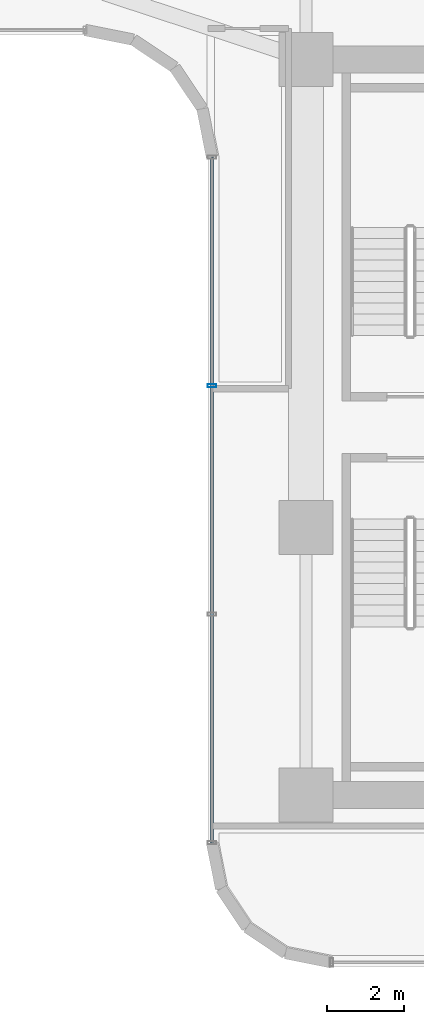
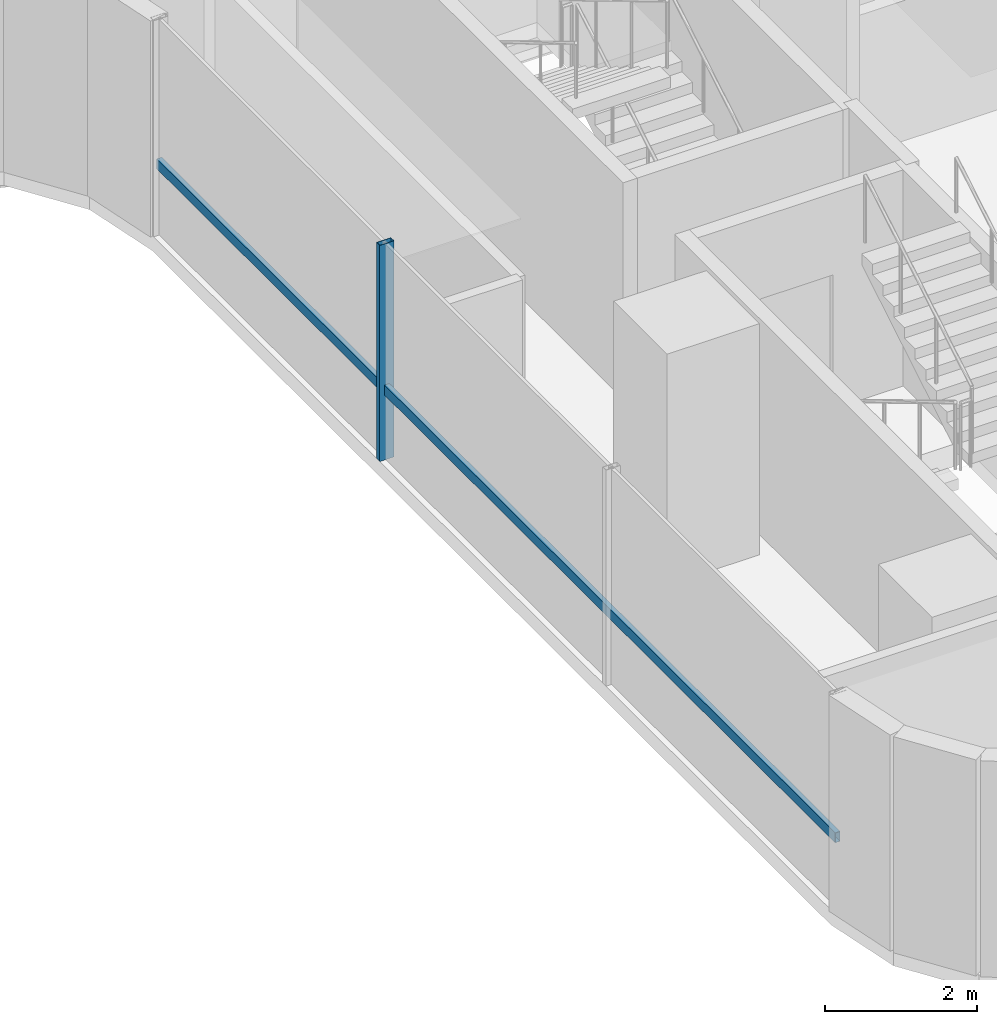
# One storey, part 14 of 39: 2 members, 1 element without a shape of its own.
"""IFC4 building model written with IfcOpenShell, lengths in metres."""

from ifc_helpers import new_model, si_unit, direction, frame, origin, origin_2d, place, context, subcontext, project, spatial, hollow_rectangle, extrude, source, transform, mapped, material, material_profile, profile_set, type_object, element, aggregate, save


model = new_model("IFC4")

# Units and contexts
model_context = context("Model", 3, precision=1e-05, world=origin(), true_north=direction((0.0, 1.0)))
body_context = subcontext(model_context, "Body", "Model", "MODEL_VIEW")
ifc_project = project(units=[si_unit("LENGTHUNIT", "METRE"), si_unit("AREAUNIT", "SQUARE_METRE"), si_unit("VOLUMEUNIT", "CUBIC_METRE"), si_unit("PLANEANGLEUNIT", "RADIAN"), si_unit("MASSUNIT", "GRAM", prefix="KILO")], contexts=[model_context])

# Site, building, storey
site_placement = place(None, origin())
site = spatial("IfcSite", under=ifc_project, at=site_placement, CompositionType="ELEMENT")
building_placement = place(site_placement, origin())
building = spatial("IfcBuilding", under=site, at=building_placement, Name="Valdorenza Pilgrim Sanctuary Tower", CompositionType="ELEMENT")
storey_placement = place(building_placement, frame((0.0, 0.0, 33.39990234375)))
storey = spatial("IfcBuildingStorey", under=building, at=storey_placement, Name="L07", CompositionType="ELEMENT", Elevation=33.39990234375)

# Curtain wall, members
ifc_material_1 = material(Name="Curtain-wall IGU glazing", Category="glass")
curtain_wall_type = type_object("IfcCurtainWallType", Name="CW-SYS-03", PredefinedType="NOTDEFINED", material=ifc_material_1)
curtain_wall_placement = place(storey_placement, origin())
curtain_wall = element("IfcCurtainWall", 1, at=curtain_wall_placement, inside=storey, type_object=curtain_wall_type, Name="L07 Curtain Wall CW-L07-1-31", PredefinedType="NOTDEFINED")
ifc_material_2 = material(Name="Anodised aluminium AW-6060", Category="aluminium")
ifc_material_profile_1 = material_profile(ifc_material_2, hollow_rectangle(XDim=0.074951171875, YDim=0.159912109375, WallThickness=0.00390625, at=origin_2d()), Name="ALU-T 160x75x4")
ifc_profile_set_1 = profile_set([ifc_material_profile_1], Name="Anodised aluminium AW-6060")
member_type_1 = type_object("IfcMemberType", Name="CW-TRN-03", PredefinedType="USERDEFINED", material=ifc_profile_set_1)
shared_shape_1 = source(origin(), body_context, "Body", "SweptSolid", [
    extrude(hollow_rectangle(XDim=0.074951171875, YDim=0.159912109375, WallThickness=0.00390625, at=origin_2d()), origin(), (0.0, 0.0, 1.0), 17.800048828125),
])
member_1_placement = place(storey_placement, frame((13.409912109375, -10.789306640625, 1.1201171875), z_axis=(0.0, 1.0, 0.0), x_axis=(-1.0, 0.0, 0.0)))
member_1 = element("IfcMember", 2, at=member_1_placement, type_object=member_type_1, Name="CW-L07-1-31 Transom 1", ObjectType="TRANSOM", PredefinedType="USERDEFINED", context=body_context, shape_type="MappedRepresentation", body=[
    mapped(shared_shape_1, transform((0.0, 0.0, 0.0), x_axis=(1.0, 0.0, 0.0), y_axis=(0.0, 1.0, 0.0), z_axis=(0.0, 0.0, 1.0), scale=1.0)),
])
ifc_material_profile_2 = material_profile(ifc_material_2, hollow_rectangle(XDim=0.0849609375, YDim=0.219970703125, WallThickness=0.0048828125, at=origin_2d()), Name="ALU-M 220x85x5")
ifc_profile_set_2 = profile_set([ifc_material_profile_2], Name="Anodised aluminium AW-6060")
member_type_2 = type_object("IfcMemberType", Name="CW-MUL-03", PredefinedType="MULLION", material=ifc_profile_set_2)
shared_shape_2 = source(origin(), body_context, "Body", "SweptSolid", [
    extrude(hollow_rectangle(XDim=0.0849609375, YDim=0.219970703125, WallThickness=0.0048828125, at=origin_2d()), origin(), (0.0, 0.0, 1.0), 3.460205078125),
])
member_2_placement = place(storey_placement, frame((13.409912109375, 1.077392578125, 0.0), z_axis=(0.0, 0.0, 1.0), x_axis=(0.0, 1.0, 0.0)))
member_2 = element("IfcMember", 3, at=member_2_placement, type_object=member_type_2, Name="CW-L07-1-31 Mullion 3", PredefinedType="MULLION", context=body_context, shape_type="MappedRepresentation", body=[
    mapped(shared_shape_2, transform((0.0, 0.0, 0.0), x_axis=(1.0, 0.0, 0.0), y_axis=(0.0, 1.0, 0.0), z_axis=(0.0, 0.0, 1.0), scale=1.0)),
])
aggregate(curtain_wall, [member_2, member_1])

save(model, "model.ifc")
